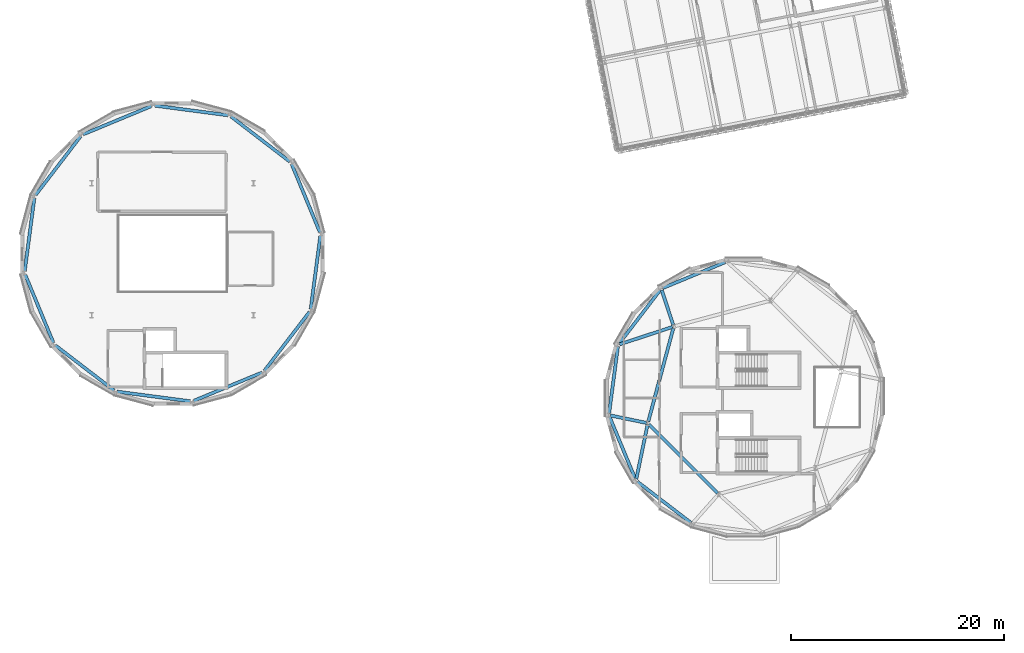
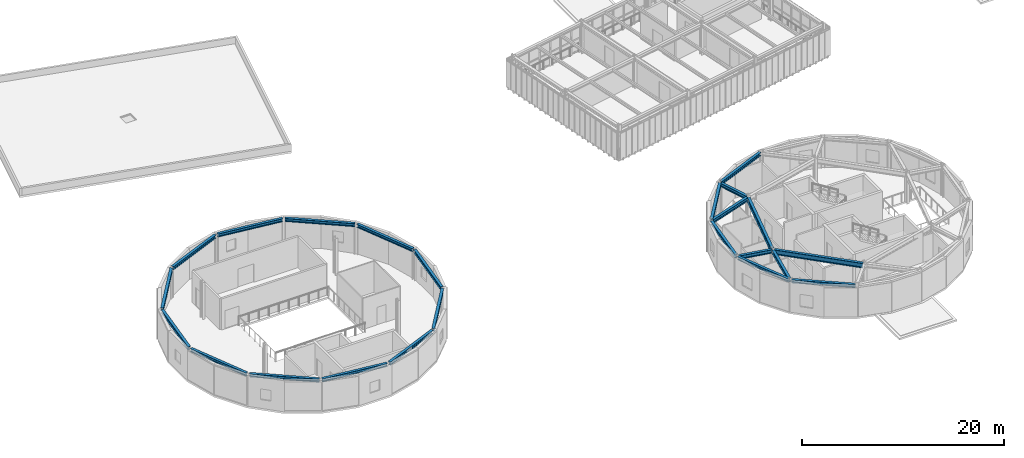
# One storey, part 10 of 44: 23 beams.
"""IFC4 building model written with IfcOpenShell, lengths in metres."""

import ifcopenshell
import ifcopenshell.guid

model = None  # the IFC model being written
_history = None  # IfcOwnerHistory: only IFC2X3 demands one
_inside = {}  # id of a spatial element -> (the spatial element, [elements in it])
_under = {}  # id of a project, library or spatial element -> (it, [spatial elements below it])
_declared = {}  # id of a project -> (the project, [libraries it declares])
_typed = {}  # id of a type object -> (the type object, [elements of that type])
_made_of = {}  # id of a material, layer set ... -> (it, [elements and type objects made of it])


def new_model(schema):
    """Start an empty IFC model of exactly this schema.

    Asked for "IFC4X3", IfcOpenShell would pick the latest addendum, in which some entities
    have other attributes; the version numbers below select the first issue.
    IFC2X3 requires an IfcOwnerHistory on every rooted entity: one is made here for all.
    """
    global model, _history
    if schema == "IFC4X3":
        model = ifcopenshell.file(schema_version=(4, 3, 0, 0))
    else:
        model = ifcopenshell.file(schema=schema)
    _inside.clear()
    _under.clear()
    _declared.clear()
    _typed.clear()
    _made_of.clear()
    _history = None
    if model.schema == "IFC2X3":
        org = make("IfcOrganization", Name="unknown")
        user = make(
            "IfcPersonAndOrganization",
            ThePerson=make("IfcPerson", FamilyName="unknown"),
            TheOrganization=org,
        )
        app = make(
            "IfcApplication",
            ApplicationDeveloper=org,
            Version="unknown",
            ApplicationFullName="unknown",
            ApplicationIdentifier="unknown",
        )
        _history = make(
            "IfcOwnerHistory",
            OwningUser=user,
            OwningApplication=app,
            ChangeAction="ADDED",
            CreationDate=0,
        )
    return model


def make(cls, **values):
    """One entity of the class cls with the attributes given. An attribute that is None is left unset."""
    return model.create_entity(
        cls, **{name: value for name, value in values.items() if value is not None}
    )


def rooted(cls, **values):
    """An entity with a GlobalId (a new one), such as an element, a storey or a relation."""
    return make(cls, GlobalId=ifcopenshell.guid.new(), OwnerHistory=_history, **values)


def si_unit(unit_type, name, prefix=None):
    """IfcSIUnit, for example si_unit("LENGTHUNIT", "METRE", prefix="MILLI")."""
    return make("IfcSIUnit", UnitType=unit_type, Prefix=prefix, Name=name)


def assignment(units):
    """IfcUnitAssignment: the units of a project."""
    return None if units is None else make("IfcUnitAssignment", Units=units)


def point(xyz):
    """IfcCartesianPoint."""
    return None if xyz is None else make("IfcCartesianPoint", Coordinates=xyz)


def direction(xyz):
    """IfcDirection."""
    return None if xyz is None else make("IfcDirection", DirectionRatios=xyz)


def frame(location, z_axis=None, x_axis=None):
    """IfcAxis2Placement3D, a coordinate frame: its origin and axes. An axis left out is left unset."""
    return make(
        "IfcAxis2Placement3D",
        Location=point(location),
        Axis=direction(z_axis),
        RefDirection=direction(x_axis),
    )


def frame_2d(location, x_axis=None):
    """IfcAxis2Placement2D, a coordinate frame in the plane: its origin and x axis."""
    return make(
        "IfcAxis2Placement2D", Location=point(location), RefDirection=direction(x_axis)
    )


def origin():
    """The frame at (0, 0, 0) with its axes left unset."""
    return frame((0.0, 0.0, 0.0))


def origin_2d():
    """The frame at (0, 0) in the plane with its x axis left unset."""
    return frame_2d((0.0, 0.0))


def place(relative_to, where):
    """IfcLocalPlacement: puts the frame where relative to a parent placement (None: the world)."""
    return make(
        "IfcLocalPlacement", PlacementRelTo=relative_to, RelativePlacement=where
    )


def context(
    kind, dimensions, precision=None, world=None, true_north=None, identifier=None
):
    """IfcGeometricRepresentationContext, for example the 3D "Model" context."""
    return make(
        "IfcGeometricRepresentationContext",
        ContextIdentifier=identifier,
        ContextType=kind,
        CoordinateSpaceDimension=dimensions,
        Precision=precision,
        WorldCoordinateSystem=world,
        TrueNorth=true_north,
    )


def subcontext(parent, identifier, kind, view, scale=None):
    """IfcGeometricRepresentationSubContext, for example "Body" below "Model"."""
    return make(
        "IfcGeometricRepresentationSubContext",
        ContextIdentifier=identifier,
        ContextType=kind,
        ParentContext=parent,
        TargetScale=scale,
        TargetView=view,
    )


def project(units=None, contexts=None):
    """IfcProject with its units and contexts."""
    return rooted(
        "IfcProject",
        Name="project",
        RepresentationContexts=contexts,
        UnitsInContext=assignment(units),
    )


def spatial(cls, under=None, at=None, **own):
    """A site, building, storey or space (cls), placed at a placement, below another one or the project."""
    s = rooted(cls, ObjectPlacement=at, **own)
    if under is not None:
        _under.setdefault(under.id(), (under, []))[1].append(s)
    return s


def profile(cls, at=None, kind="AREA", **sizes):
    """A parametric profile (cls). Its sizes go by their IFC names, for example OverallWidth=200.0."""
    return make(cls, ProfileType=kind, Position=at, **sizes)


def i_section(**sizes):
    """IfcIShapeProfileDef."""
    return profile("IfcIShapeProfileDef", **sizes)


def extrude(swept, where, along, depth):
    """IfcExtrudedAreaSolid: the profile swept, set in the frame where, extruded along a direction by depth."""
    return make(
        "IfcExtrudedAreaSolid",
        SweptArea=swept,
        Position=where,
        ExtrudedDirection=direction(along),
        Depth=depth,
    )


def shape(context_of_items, identifier, shape_type, items):
    """IfcShapeRepresentation: the items that make up one representation, for example the "Body"."""
    return make(
        "IfcShapeRepresentation",
        ContextOfItems=context_of_items,
        RepresentationIdentifier=identifier,
        RepresentationType=shape_type,
        Items=items,
    )


def material(Name=None, Category=None):
    """IfcMaterial."""
    return make("IfcMaterial", Name=Name, Category=Category)


def material_profile(
    of_material, cross_section, Name=None, Category=None, Priority=None
):
    """IfcMaterialProfile: a cross section and its material."""
    return make(
        "IfcMaterialProfile",
        Name=Name,
        Material=of_material,
        Profile=cross_section,
        Priority=Priority,
        Category=Category,
    )


def profile_set(profiles, Name=None, composite=None):
    """IfcMaterialProfileSet."""
    return make(
        "IfcMaterialProfileSet",
        Name=Name,
        MaterialProfiles=profiles,
        CompositeProfile=composite,
    )


def made_of(thing, what):
    """Note that an element or type object is made of a material, layer set ...; save() writes the relation."""
    if what is not None:
        _made_of.setdefault(what.id(), (what, []))[1].append(thing)
    return thing


def type_object(cls, material=None, **own):
    """A type object (cls), such as IfcWallType, which elements share."""
    return made_of(rooted(cls, **own), material)


def element(
    cls,
    number,
    at=None,
    inside=None,
    cuts=None,
    type_object=None,
    material=None,
    context=None,
    identifier="Body",
    shape_type=None,
    held_by="IfcProductDefinitionShape",
    body=None,
    shapes=None,
    **own,
):
    """One element of the class cls, such as IfcWall. Its Tag is "e" and its number.

    at: its placement. inside: the storey or other place that contains it. cuts: it is an
    opening in that element (IfcRelVoidsElement). A single representation is given by context,
    identifier, shape_type and body (its items); several are given by shapes. held_by: the class
    of the entity that holds the representations. save() writes the other relations.
    """
    e = rooted(cls, Tag="e%d" % number, ObjectPlacement=at, **own)
    if body is not None:
        shapes = [shape(context, identifier, shape_type, body)]
    if shapes is not None:
        e.Representation = make(held_by, Representations=shapes)
    if inside is not None:
        _inside.setdefault(inside.id(), (inside, []))[1].append(e)
    if cuts is not None:
        rooted(
            "IfcRelVoidsElement", RelatingBuildingElement=cuts, RelatedOpeningElement=e
        )
    if type_object is not None:
        _typed.setdefault(type_object.id(), (type_object, []))[1].append(e)
    return made_of(e, material)


def aggregate(whole, parts):
    """IfcRelAggregates: a whole, such as a stair, and the parts it consists of."""
    return rooted("IfcRelAggregates", RelatingObject=whole, RelatedObjects=parts)


def save(model, path):
    """Write the relations noted so far, then the file.

    IfcRelAggregates (storeys below a building ...), IfcRelContainedInSpatialStructure (elements
    in a storey), IfcRelDefinesByType, IfcRelAssociatesMaterial and IfcRelDeclares: one each for
    every whole, place, type object, material and project.
    """
    for whole, parts in _under.values():
        aggregate(whole, parts)
    for where, things in _inside.values():
        rooted(
            "IfcRelContainedInSpatialStructure",
            RelatedElements=things,
            RelatingStructure=where,
        )
    for kind, things in _typed.values():
        rooted("IfcRelDefinesByType", RelatedObjects=things, RelatingType=kind)
    for what, things in _made_of.values():
        rooted("IfcRelAssociatesMaterial", RelatedObjects=things, RelatingMaterial=what)
    for by, libraries in _declared.values():
        rooted("IfcRelDeclares", RelatingContext=by, RelatedDefinitions=libraries)
    model.write(path)


model = new_model("IFC4")

# Units and contexts
model_context = context("Model", 3, precision=1e-05, world=origin(), true_north=direction((0.0, 1.0)))
body_context = subcontext(model_context, "Body", "Model", "MODEL_VIEW")
ifc_project = project(units=[si_unit("LENGTHUNIT", "METRE"), si_unit("AREAUNIT", "SQUARE_METRE"), si_unit("VOLUMEUNIT", "CUBIC_METRE"), si_unit("PLANEANGLEUNIT", "RADIAN"), si_unit("MASSUNIT", "GRAM", prefix="KILO")], contexts=[model_context])

# Site, building, storey
site_placement = place(None, origin())
site = spatial("IfcSite", under=ifc_project, at=site_placement, CompositionType="ELEMENT")
building_placement = place(site_placement, origin())
building = spatial("IfcBuilding", under=site, at=building_placement, Name="Varnklinge Art Gallery", CompositionType="ELEMENT")
storey_placement = place(building_placement, frame((0.0, 0.0, 13.679931640625)))
storey = spatial("IfcBuildingStorey", under=building, at=storey_placement, Name="L03", CompositionType="ELEMENT", Elevation=13.679931640625)

# Beams
ifc_material_1 = material(Name="Steel S355", Category="steel")
ifc_material_profile_1 = material_profile(ifc_material_1, i_section(OverallWidth=0.300048828125, OverallDepth=0.590087890625, WebThickness=0.012939453125, FlangeThickness=0.02490234375, FilletRadius=0.027099609375, at=origin_2d()), Name="HEA 600")
ifc_profile_set_1 = profile_set([ifc_material_profile_1], Name="Steel S355")
beam_type_1 = type_object("IfcBeamType", Name="BM-06", PredefinedType="BEAM", material=ifc_profile_set_1)
beam_1_placement = place(storey_placement, frame((68.81689453125, 45.01171875, 3.465087890625), z_axis=(-0.258808787016, -0.965928574877, 0.0), x_axis=(0.965928574877, -0.258808787016, 0.0)))
element("IfcBeam", 1, at=beam_1_placement, inside=storey, type_object=beam_type_1, Name="L03 BM-06 BM-V4D-L04-I3", PredefinedType="BEAM", context=body_context, shape_type="SweptSolid", body=[
    extrude(i_section(OverallWidth=0.300048828125, OverallDepth=0.590087890625, WebThickness=0.012939453125, FlangeThickness=0.02490234375, FilletRadius=0.027099609375, at=origin_2d()), origin(), (0.0, 0.0, 1.0), 9.1201171875),
])
beam_2_placement = place(storey_placement, frame((66.519287109375, 35.968017578125, 3.465087890625), z_axis=(0.707106781187, -0.707106781187, 0.0), x_axis=(0.707106781187, 0.707106781187, 0.0)))
element("IfcBeam", 2, at=beam_2_placement, inside=storey, type_object=beam_type_1, Name="L03 BM-06 BM-V4D-L04-I4", PredefinedType="BEAM", context=body_context, shape_type="SweptSolid", body=[
    extrude(i_section(OverallWidth=0.300048828125, OverallDepth=0.590087890625, WebThickness=0.012939453125, FlangeThickness=0.02490234375, FilletRadius=0.027099609375, at=origin_2d()), origin(), (0.0, 0.0, 1.0), 9.119873046875),
])
ifc_material_2 = material(Name="Steel S355", Category="steel")
ifc_material_profile_2 = material_profile(ifc_material_2, i_section(OverallWidth=0.300048828125, OverallDepth=0.43994140625, WebThickness=0.011474609375, FlangeThickness=0.02099609375, FilletRadius=0.027099609375, at=origin_2d()), Name="HEA 450")
ifc_profile_set_2 = profile_set([ifc_material_profile_2], Name="Steel S355")
beam_type_2 = type_object("IfcBeamType", Name="BM-08", PredefinedType="BEAM", material=ifc_profile_set_2)
beam_3_placement = place(storey_placement, frame((68.80908203125, 45.27978515625, 3.5400390625), z_axis=(-0.314574973389, 0.949232630137, 0.0), x_axis=(-0.949232630137, -0.314574973389, 0.0)))
element("IfcBeam", 3, at=beam_3_placement, inside=storey, type_object=beam_type_2, Name="L03 BM-08 BM-V4D-L04-R05", PredefinedType="BEAM", context=body_context, shape_type="SweptSolid", body=[
    extrude(i_section(OverallWidth=0.300048828125, OverallDepth=0.43994140625, WebThickness=0.011474609375, FlangeThickness=0.02099609375, FilletRadius=0.027099609375, at=origin_2d()), origin(), (0.0, 0.0, 1.0), 3.45751953125),
])
beam_4_placement = place(storey_placement, frame((68.72021484375, 45.102783203125, 3.5400390625), z_axis=(-0.949354152102, -0.314208042366, 0.0), x_axis=(0.314208042366, -0.949354152102, 0.0)))
element("IfcBeam", 4, at=beam_4_placement, inside=storey, type_object=beam_type_2, Name="L03 BM-08 BM-V4D-L04-R06", PredefinedType="BEAM", context=body_context, shape_type="SweptSolid", body=[
    extrude(i_section(OverallWidth=0.300048828125, OverallDepth=0.43994140625, WebThickness=0.011474609375, FlangeThickness=0.02099609375, FilletRadius=0.027099609375, at=origin_2d()), origin(), (0.0, 0.0, 1.0), 5.223876953125),
])
beam_5_placement = place(storey_placement, frame((66.283203125, 36.095458984375, 3.5400390625), z_axis=(-0.979353549328, 0.202154953982, 0.0), x_axis=(-0.202154953982, -0.979353549328, 0.0)))
element("IfcBeam", 5, at=beam_5_placement, inside=storey, type_object=beam_type_2, Name="L03 BM-08 BM-V4D-L04-R07", PredefinedType="BEAM", context=body_context, shape_type="SweptSolid", body=[
    extrude(i_section(OverallWidth=0.300048828125, OverallDepth=0.43994140625, WebThickness=0.011474609375, FlangeThickness=0.02099609375, FilletRadius=0.027099609375, at=origin_2d()), origin(), (0.0, 0.0, 1.0), 3.45751953125),
])
beam_6_placement = place(storey_placement, frame((66.391845703125, 35.929931640625, 3.5400390625), z_axis=(-0.202556149381, -0.979270650202, 0.0), x_axis=(0.979270650202, -0.202556149381, 0.0)))
element("IfcBeam", 6, at=beam_6_placement, inside=storey, type_object=beam_type_2, Name="L03 BM-08 BM-V4D-L04-R08", PredefinedType="BEAM", context=body_context, shape_type="SweptSolid", body=[
    extrude(i_section(OverallWidth=0.300048828125, OverallDepth=0.43994140625, WebThickness=0.011474609375, FlangeThickness=0.02099609375, FilletRadius=0.027099609375, at=origin_2d()), origin(), (0.0, 0.0, 1.0), 5.223876953125),
])
ifc_material_3 = material(Name="Steel S355", Category="steel")
ifc_material_profile_3 = material_profile(ifc_material_3, i_section(OverallWidth=0.300048828125, OverallDepth=0.389892578125, WebThickness=0.010986328125, FlangeThickness=0.01904296875, FilletRadius=0.027099609375, at=origin_2d()), Name="HEA 400")
ifc_profile_set_3 = profile_set([ifc_material_profile_3], Name="Steel S355")
beam_type_3 = type_object("IfcBeamType", Name="SPB-03", PredefinedType="SPANDREL", material=ifc_profile_set_3)
beam_7_placement = place(storey_placement, frame((35.646484375, 53.959228515625, 3.565185546875), z_axis=(-0.382686571243, 0.923878232339, 0.0), x_axis=(-0.923878232339, -0.382686571243, 0.0)))
element("IfcBeam", 7, at=beam_7_placement, inside=storey, type_object=beam_type_3, Name="L03 SPB-03 BM-V3-ROOF-E01", PredefinedType="SPANDREL", context=body_context, shape_type="SweptSolid", body=[
    extrude(i_section(OverallWidth=0.300048828125, OverallDepth=0.389892578125, WebThickness=0.010986328125, FlangeThickness=0.01904296875, FilletRadius=0.027099609375, at=origin_2d()), origin(), (0.0, 0.0, 1.0), 6.9775390625),
])
beam_8_placement = place(storey_placement, frame((32.811767578125, 60.6201171875, 3.565185546875), z_axis=(-0.793346661628, 0.608770132713, 0.0), x_axis=(-0.608770132713, -0.793346661628, 0.0)))
element("IfcBeam", 8, at=beam_8_placement, inside=storey, type_object=beam_type_3, Name="L03 SPB-03 BM-V3-ROOF-E02", PredefinedType="SPANDREL", context=body_context, shape_type="SweptSolid", body=[
    extrude(i_section(OverallWidth=0.300048828125, OverallDepth=0.389892578125, WebThickness=0.010986328125, FlangeThickness=0.01904296875, FilletRadius=0.027099609375, at=origin_2d()), origin(), (0.0, 0.0, 1.0), 6.977294921875),
])
beam_9_placement = place(storey_placement, frame((27.0263671875, 64.97119140625, 3.565185546875), z_axis=(-0.991445956564, 0.130517873155, 0.0), x_axis=(-0.130517873155, -0.991445956564, 0.0)))
element("IfcBeam", 9, at=beam_9_placement, inside=storey, type_object=beam_type_3, Name="L03 SPB-03 BM-V3-ROOF-E03", PredefinedType="SPANDREL", context=body_context, shape_type="SweptSolid", body=[
    extrude(i_section(OverallWidth=0.300048828125, OverallDepth=0.389892578125, WebThickness=0.010986328125, FlangeThickness=0.01904296875, FilletRadius=0.027099609375, at=origin_2d()), origin(), (0.0, 0.0, 1.0), 6.97705078125),
])
for number, where, z_axis, x_axis, name in (
    (10, (19.8408203125, 65.846435546875, 3.565185546875), (-0.92389060297, -0.38265670482, 0.0), (0.38265670482, -0.92389060297, 0.0), "L03 SPB-03 BM-V3-ROOF-E04"),
    (11, (13.179931640625, 63.01171875, 3.565185546875), (-0.608770132713, -0.793346661628, 0.0), (0.793346661628, -0.608770132713, 0.0), "L03 SPB-03 BM-V3-ROOF-E05"),
):
    element("IfcBeam", number, at=place(storey_placement, frame(where, z_axis=z_axis, x_axis=x_axis)), inside=storey, type_object=beam_type_3, Name=name, PredefinedType="SPANDREL", context=body_context, shape_type="SweptSolid", body=[
        extrude(i_section(OverallWidth=0.300048828125, OverallDepth=0.389892578125, WebThickness=0.010986328125, FlangeThickness=0.01904296875, FilletRadius=0.027099609375, at=origin_2d()), origin(), (0.0, 0.0, 1.0), 6.977294921875),
    ])
beam_10_placement = place(storey_placement, frame((8.828857421875, 57.226318359375, 3.565185546875), z_axis=(-0.130517873155, -0.991445956564, 0.0), x_axis=(0.991445956564, -0.130517873155, 0.0)))
element("IfcBeam", 12, at=beam_10_placement, inside=storey, type_object=beam_type_3, Name="L03 SPB-03 BM-V3-ROOF-E06", PredefinedType="SPANDREL", context=body_context, shape_type="SweptSolid", body=[
    extrude(i_section(OverallWidth=0.300048828125, OverallDepth=0.389892578125, WebThickness=0.010986328125, FlangeThickness=0.01904296875, FilletRadius=0.027099609375, at=origin_2d()), origin(), (0.0, 0.0, 1.0), 6.97705078125),
])
for number, where, z_axis, x_axis, name in (
    (13, (7.95361328125, 50.040771484375, 3.565185546875), (0.38265670482, -0.92389060297, 0.0), (0.92389060297, 0.38265670482, 0.0), "L03 SPB-03 BM-V3-ROOF-E07"),
    (14, (10.788330078125, 43.3798828125, 3.565185546875), (0.793346661628, -0.608770132713, 0.0), (0.608770132713, 0.793346661628, 0.0), "L03 SPB-03 BM-V3-ROOF-E08"),
    (15, (16.573486328125, 39.02880859375, 3.565185546875), (0.991446552608, -0.130513345376, 0.0), (0.130513345376, 0.991446552608, 0.0), "L03 SPB-03 BM-V3-ROOF-E09"),
    (16, (23.75927734375, 38.153564453125, 3.565185546875), (0.92389060297, 0.38265670482, 0.0), (-0.38265670482, 0.92389060297, 0.0), "L03 SPB-03 BM-V3-ROOF-E10"),
    (17, (30.419921875, 40.98828125, 3.565185546875), (0.608770132713, 0.793346661628, 0.0), (-0.793346661628, 0.608770132713, 0.0), "L03 SPB-03 BM-V3-ROOF-E11"),
    (18, (34.77099609375, 46.773681640625, 3.565185546875), (0.130552268231, 0.991441428053, 0.0), (-0.991441428053, 0.130552268231, 0.0), "L03 SPB-03 BM-V3-ROOF-E12"),
):
    element("IfcBeam", number, at=place(storey_placement, frame(where, z_axis=z_axis, x_axis=x_axis)), inside=storey, type_object=beam_type_3, Name=name, PredefinedType="SPANDREL", context=body_context, shape_type="SweptSolid", body=[
        extrude(i_section(OverallWidth=0.300048828125, OverallDepth=0.389892578125, WebThickness=0.010986328125, FlangeThickness=0.01904296875, FilletRadius=0.027099609375, at=origin_2d()), origin(), (0.0, 0.0, 1.0), 6.977294921875),
    ])
for number, where, z_axis, x_axis, name in (
    (19, (73.693359375, 51.1865234375, 3.565185546875), (-0.923886541746, -0.382666510137, 0.0), (0.382666510137, -0.923886541746, 0.0), "L03 SPB-03 BM-V4D-L04-P04"),
    (20, (67.59228515625, 48.58349609375, 3.565185546875), (-0.608773359857, -0.793344185287, 0.0), (0.793344185287, -0.608773359857, 0.0), "L03 SPB-03 BM-V4D-L04-P05"),
):
    element("IfcBeam", number, at=place(storey_placement, frame(where, z_axis=z_axis, x_axis=x_axis)), inside=storey, type_object=beam_type_3, Name=name, PredefinedType="SPANDREL", context=body_context, shape_type="SweptSolid", body=[
        extrude(i_section(OverallWidth=0.300048828125, OverallDepth=0.389892578125, WebThickness=0.010986328125, FlangeThickness=0.01904296875, FilletRadius=0.027099609375, at=origin_2d()), origin(), (0.0, 0.0, 1.0), 6.37158203125),
    ])
beam_11_placement = place(storey_placement, frame((63.60986328125, 43.27880859375, 3.565185546875), z_axis=(-0.130502087099, -0.991448034575, 0.0), x_axis=(0.991448034575, -0.130502087099, 0.0)))
element("IfcBeam", 21, at=beam_11_placement, inside=storey, type_object=beam_type_3, Name="L03 SPB-03 BM-V4D-L04-P06", PredefinedType="SPANDREL", context=body_context, shape_type="SweptSolid", body=[
    extrude(i_section(OverallWidth=0.300048828125, OverallDepth=0.389892578125, WebThickness=0.010986328125, FlangeThickness=0.01904296875, FilletRadius=0.027099609375, at=origin_2d()), origin(), (0.0, 0.0, 1.0), 6.371826171875),
])
for number, where, z_axis, x_axis, name in (
    (22, (62.8134765625, 36.693359375, 3.565185546875), (0.382666510137, -0.923886541746, 0.0), (0.923886541746, 0.382666510137, 0.0), "L03 SPB-03 BM-V4D-L04-P07"),
    (23, (65.41650390625, 30.59228515625, 3.565185546875), (0.793344185287, -0.608773359857, 0.0), (0.608773359857, 0.793344185287, 0.0), "L03 SPB-03 BM-V4D-L04-P08"),
):
    element("IfcBeam", number, at=place(storey_placement, frame(where, z_axis=z_axis, x_axis=x_axis)), inside=storey, type_object=beam_type_3, Name=name, PredefinedType="SPANDREL", context=body_context, shape_type="SweptSolid", body=[
        extrude(i_section(OverallWidth=0.300048828125, OverallDepth=0.389892578125, WebThickness=0.010986328125, FlangeThickness=0.01904296875, FilletRadius=0.027099609375, at=origin_2d()), origin(), (0.0, 0.0, 1.0), 6.37158203125),
    ])

save(model, "model.ifc")
